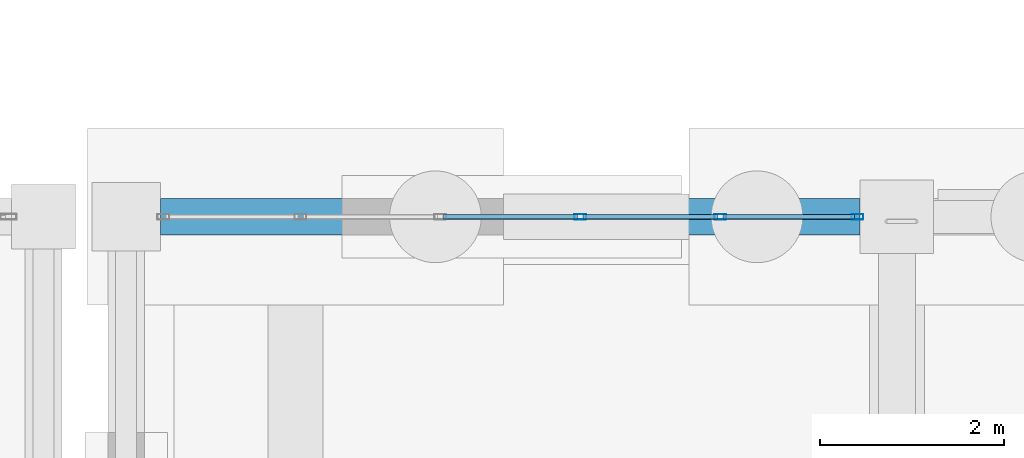
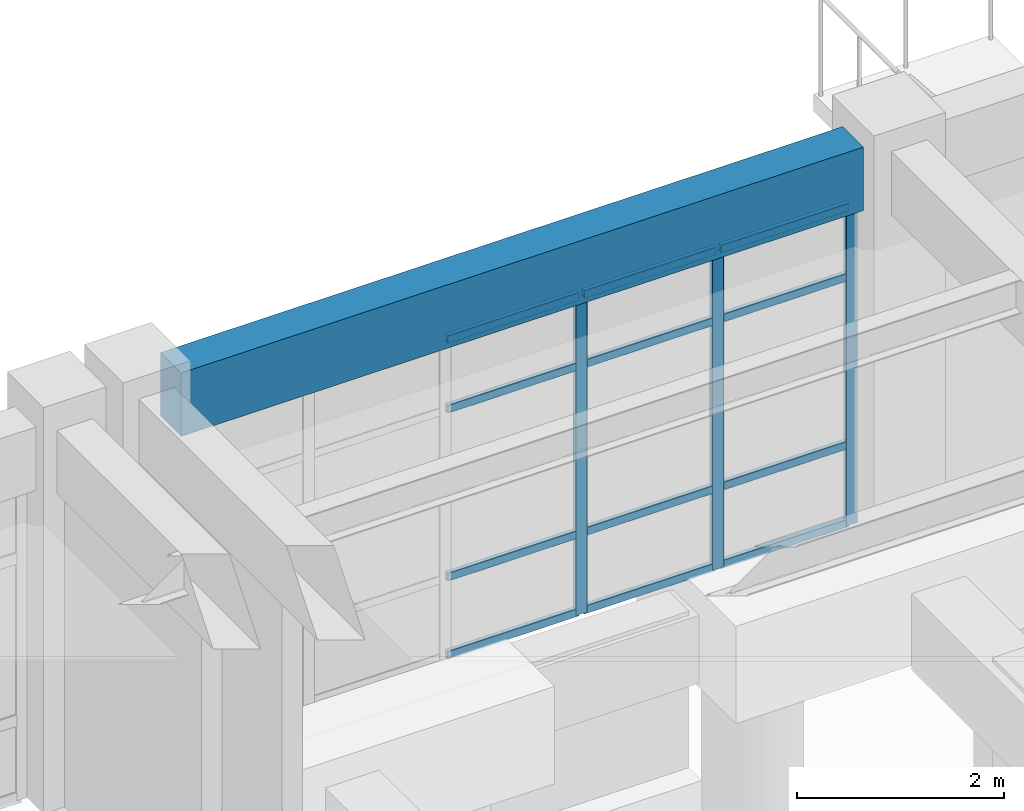
# One storey, part 29 of 111: 15 members, 1 beam, 1 element without a shape of its own.
"""IFC4 building model written with IfcOpenShell, lengths in metres."""

from ifc_helpers import new_model, si_unit, direction, frame, origin, origin_2d, place, context, subcontext, project, spatial, rectangle, hollow_rectangle, extrude, material, material_profile, profile_set, type_object, element, aggregate, save


model = new_model("IFC4")

# Units and contexts
model_context = context("Model", 3, precision=1e-05, world=origin(), true_north=direction((0.0, 1.0)))
body_context = subcontext(model_context, "Body", "Model", "MODEL_VIEW")
ifc_project = project(units=[si_unit("LENGTHUNIT", "METRE"), si_unit("AREAUNIT", "SQUARE_METRE"), si_unit("VOLUMEUNIT", "CUBIC_METRE"), si_unit("PLANEANGLEUNIT", "RADIAN"), si_unit("MASSUNIT", "GRAM", prefix="KILO")], contexts=[model_context])

# Site, building, storey
site_placement = place(None, origin())
site = spatial("IfcSite", under=ifc_project, at=site_placement, CompositionType="ELEMENT")
building_placement = place(site_placement, origin())
building = spatial("IfcBuilding", under=site, at=building_placement, Name="Canglan Escarpment Cableway Terminal", CompositionType="ELEMENT")
storey_placement = place(building_placement, frame((0.0, 0.0, 4.800048828125)))
storey = spatial("IfcBuildingStorey", under=building, at=storey_placement, Name="L01", CompositionType="ELEMENT", Elevation=4.800048828125)

# Curtain wall, members
ifc_material_1 = material(Name="Anodized bronze aluminium and Low-E double glazing", Category="aluminium")
curtain_wall_type = type_object("IfcCurtainWallType", Name="CW-BAY-7625x3775", PredefinedType="NOTDEFINED", material=ifc_material_1)
curtain_wall_placement = place(storey_placement, origin())
curtain_wall = element("IfcCurtainWall", 1, at=curtain_wall_placement, inside=storey, type_object=curtain_wall_type, Name="Classical bay-between-piers glazed curtain wall CW-10", PredefinedType="NOTDEFINED")
ifc_material_2 = material(Name="Thermally broken anodized aluminium 6063-T6", Category="aluminium")
ifc_material_profile_1 = material_profile(ifc_material_2, hollow_rectangle(XDim=0.06005859375, YDim=0.1298828125, WallThickness=0.0029296875, InnerFilletRadius=0.0029296875, OuterFilletRadius=0.006103515625, at=origin_2d()), Name="ALU-MULL 60x130x3")
ifc_profile_set_1 = profile_set([ifc_material_profile_1], Name="Thermally broken anodized aluminium 6063-T6")
member_type_1 = type_object("IfcMemberType", Name="CWM-01", PredefinedType="MULLION", material=ifc_profile_set_1)
member_1_placement = place(storey_placement, frame((84.969970703125, 24.800048828125, 0.0), z_axis=(0.0, 0.0, 1.0), x_axis=(0.0, -1.0, 0.0)))
member_1 = element("IfcMember", 2, at=member_1_placement, type_object=member_type_1, Name="CW-10 mullion 1", PredefinedType="MULLION", context=body_context, shape_type="SweptSolid", body=[
    extrude(hollow_rectangle(XDim=0.06005859375, YDim=0.1298828125, WallThickness=0.0029296875, InnerFilletRadius=0.0029296875, OuterFilletRadius=0.006103515625, at=origin_2d()), origin(), (0.0, 0.0, 1.0), 3.784912109375),
])
member_2_placement = place(storey_placement, frame((83.47509765625, 24.800048828125, 0.0), z_axis=(0.0, 0.0, 1.0), x_axis=(0.0, -1.0, 0.0)))
member_2 = element("IfcMember", 3, at=member_2_placement, type_object=member_type_1, Name="CW-10 mullion 2", PredefinedType="MULLION", context=body_context, shape_type="SweptSolid", body=[
    extrude(hollow_rectangle(XDim=0.06005859375, YDim=0.1298828125, WallThickness=0.0029296875, InnerFilletRadius=0.0029296875, OuterFilletRadius=0.006103515625, at=origin_2d()), origin(), (0.0, 0.0, 1.0), 3.784912109375),
])
member_3_placement = place(storey_placement, frame((81.949951171875, 24.800048828125, 0.0), z_axis=(0.0, 0.0, 1.0), x_axis=(0.0, -1.0, 0.0)))
member_3 = element("IfcMember", 4, at=member_3_placement, type_object=member_type_1, Name="CW-10 mullion 3", PredefinedType="MULLION", context=body_context, shape_type="SweptSolid", body=[
    extrude(hollow_rectangle(XDim=0.06005859375, YDim=0.1298828125, WallThickness=0.0029296875, InnerFilletRadius=0.0029296875, OuterFilletRadius=0.006103515625, at=origin_2d()), origin(), (0.0, 0.0, 1.0), 3.784912109375),
])
ifc_material_profile_2 = material_profile(ifc_material_2, hollow_rectangle(XDim=0.054931640625, YDim=0.094970703125, WallThickness=0.0029296875, InnerFilletRadius=0.0029296875, OuterFilletRadius=0.006103515625, at=origin_2d()), Name="ALU-TRAN 55x95x3")
ifc_profile_set_2 = profile_set([ifc_material_profile_2], Name="Thermally broken anodized aluminium 6063-T6")
member_type_2 = type_object("IfcMemberType", Name="CWT-01", PredefinedType="USERDEFINED", material=ifc_profile_set_2)
member_4_placement = place(storey_placement, frame((84.93994140625, 24.800048828125, 0.02734375), z_axis=(-1.0, 0.0, 0.0), x_axis=(0.0, -1.0, 0.0)))
member_4 = element("IfcMember", 5, at=member_4_placement, type_object=member_type_2, Name="CW-10 transom 1.1", ObjectType="TRANSOM", PredefinedType="USERDEFINED", context=body_context, shape_type="SweptSolid", body=[
    extrude(hollow_rectangle(XDim=0.054931640625, YDim=0.094970703125, WallThickness=0.0029296875, InnerFilletRadius=0.0029296875, OuterFilletRadius=0.006103515625, at=origin_2d()), origin(), (0.0, 0.0, 1.0), 1.43505859375),
])
member_5_placement = place(storey_placement, frame((84.93994140625, 24.800048828125, 0.949951171875), z_axis=(-1.0, 0.0, 0.0), x_axis=(0.0, -1.0, 0.0)))
member_5 = element("IfcMember", 6, at=member_5_placement, type_object=member_type_2, Name="CW-10 transom 1.2", ObjectType="TRANSOM", PredefinedType="USERDEFINED", context=body_context, shape_type="SweptSolid", body=[
    extrude(hollow_rectangle(XDim=0.054931640625, YDim=0.094970703125, WallThickness=0.0029296875, InnerFilletRadius=0.0029296875, OuterFilletRadius=0.006103515625, at=origin_2d()), origin(), (0.0, 0.0, 1.0), 1.43505859375),
])
member_6_placement = place(storey_placement, frame((84.93994140625, 24.800048828125, 2.93505859375), z_axis=(-1.0, 0.0, 0.0), x_axis=(0.0, -1.0, 0.0)))
member_6 = element("IfcMember", 7, at=member_6_placement, type_object=member_type_2, Name="CW-10 transom 1.3", ObjectType="TRANSOM", PredefinedType="USERDEFINED", context=body_context, shape_type="SweptSolid", body=[
    extrude(hollow_rectangle(XDim=0.054931640625, YDim=0.094970703125, WallThickness=0.0029296875, InnerFilletRadius=0.0029296875, OuterFilletRadius=0.006103515625, at=origin_2d()), origin(), (0.0, 0.0, 1.0), 1.43505859375),
])
member_7_placement = place(storey_placement, frame((84.93994140625, 24.800048828125, 3.757568359375), z_axis=(-1.0, 0.0, 0.0), x_axis=(0.0, -1.0, 0.0)))
member_7 = element("IfcMember", 8, at=member_7_placement, type_object=member_type_2, Name="CW-10 transom 1.4", ObjectType="TRANSOM", PredefinedType="USERDEFINED", context=body_context, shape_type="SweptSolid", body=[
    extrude(hollow_rectangle(XDim=0.054931640625, YDim=0.094970703125, WallThickness=0.0029296875, InnerFilletRadius=0.0029296875, OuterFilletRadius=0.006103515625, at=origin_2d()), origin(), (0.0, 0.0, 1.0), 1.43505859375),
])
member_8_placement = place(storey_placement, frame((83.445068359375, 24.800048828125, 0.02734375), z_axis=(-1.0, 0.0, 0.0), x_axis=(0.0, -1.0, 0.0)))
member_8 = element("IfcMember", 9, at=member_8_placement, type_object=member_type_2, Name="CW-10 transom 2.1", ObjectType="TRANSOM", PredefinedType="USERDEFINED", context=body_context, shape_type="SweptSolid", body=[
    extrude(hollow_rectangle(XDim=0.054931640625, YDim=0.094970703125, WallThickness=0.0029296875, InnerFilletRadius=0.0029296875, OuterFilletRadius=0.006103515625, at=origin_2d()), origin(), (0.0, 0.0, 1.0), 1.465087890625),
])
member_9_placement = place(storey_placement, frame((83.445068359375, 24.800048828125, 0.949951171875), z_axis=(-1.0, 0.0, 0.0), x_axis=(0.0, -1.0, 0.0)))
member_9 = element("IfcMember", 10, at=member_9_placement, type_object=member_type_2, Name="CW-10 transom 2.2", ObjectType="TRANSOM", PredefinedType="USERDEFINED", context=body_context, shape_type="SweptSolid", body=[
    extrude(hollow_rectangle(XDim=0.054931640625, YDim=0.094970703125, WallThickness=0.0029296875, InnerFilletRadius=0.0029296875, OuterFilletRadius=0.006103515625, at=origin_2d()), origin(), (0.0, 0.0, 1.0), 1.465087890625),
])
member_10_placement = place(storey_placement, frame((83.445068359375, 24.800048828125, 2.93505859375), z_axis=(-1.0, 0.0, 0.0), x_axis=(0.0, -1.0, 0.0)))
member_10 = element("IfcMember", 11, at=member_10_placement, type_object=member_type_2, Name="CW-10 transom 2.3", ObjectType="TRANSOM", PredefinedType="USERDEFINED", context=body_context, shape_type="SweptSolid", body=[
    extrude(hollow_rectangle(XDim=0.054931640625, YDim=0.094970703125, WallThickness=0.0029296875, InnerFilletRadius=0.0029296875, OuterFilletRadius=0.006103515625, at=origin_2d()), origin(), (0.0, 0.0, 1.0), 1.465087890625),
])
member_11_placement = place(storey_placement, frame((83.445068359375, 24.800048828125, 3.757568359375), z_axis=(-1.0, 0.0, 0.0), x_axis=(0.0, -1.0, 0.0)))
member_11 = element("IfcMember", 12, at=member_11_placement, type_object=member_type_2, Name="CW-10 transom 2.4", ObjectType="TRANSOM", PredefinedType="USERDEFINED", context=body_context, shape_type="SweptSolid", body=[
    extrude(hollow_rectangle(XDim=0.054931640625, YDim=0.094970703125, WallThickness=0.0029296875, InnerFilletRadius=0.0029296875, OuterFilletRadius=0.006103515625, at=origin_2d()), origin(), (0.0, 0.0, 1.0), 1.465087890625),
])
member_12_placement = place(storey_placement, frame((81.919921875, 24.800048828125, 0.02734375), z_axis=(-1.0, 0.0, 0.0), x_axis=(0.0, -1.0, 0.0)))
member_12 = element("IfcMember", 13, at=member_12_placement, type_object=member_type_2, Name="CW-10 transom 3.1", ObjectType="TRANSOM", PredefinedType="USERDEFINED", context=body_context, shape_type="SweptSolid", body=[
    extrude(hollow_rectangle(XDim=0.054931640625, YDim=0.094970703125, WallThickness=0.0029296875, InnerFilletRadius=0.0029296875, OuterFilletRadius=0.006103515625, at=origin_2d()), origin(), (0.0, 0.0, 1.0), 1.46484375),
])
member_13_placement = place(storey_placement, frame((81.919921875, 24.800048828125, 0.949951171875), z_axis=(-1.0, 0.0, 0.0), x_axis=(0.0, -1.0, 0.0)))
member_13 = element("IfcMember", 14, at=member_13_placement, type_object=member_type_2, Name="CW-10 transom 3.2", ObjectType="TRANSOM", PredefinedType="USERDEFINED", context=body_context, shape_type="SweptSolid", body=[
    extrude(hollow_rectangle(XDim=0.054931640625, YDim=0.094970703125, WallThickness=0.0029296875, InnerFilletRadius=0.0029296875, OuterFilletRadius=0.006103515625, at=origin_2d()), origin(), (0.0, 0.0, 1.0), 1.46484375),
])
member_14_placement = place(storey_placement, frame((81.919921875, 24.800048828125, 2.93505859375), z_axis=(-1.0, 0.0, 0.0), x_axis=(0.0, -1.0, 0.0)))
member_14 = element("IfcMember", 15, at=member_14_placement, type_object=member_type_2, Name="CW-10 transom 3.3", ObjectType="TRANSOM", PredefinedType="USERDEFINED", context=body_context, shape_type="SweptSolid", body=[
    extrude(hollow_rectangle(XDim=0.054931640625, YDim=0.094970703125, WallThickness=0.0029296875, InnerFilletRadius=0.0029296875, OuterFilletRadius=0.006103515625, at=origin_2d()), origin(), (0.0, 0.0, 1.0), 1.46484375),
])
member_15_placement = place(storey_placement, frame((81.919921875, 24.800048828125, 3.757568359375), z_axis=(-1.0, 0.0, 0.0), x_axis=(0.0, -1.0, 0.0)))
member_15 = element("IfcMember", 16, at=member_15_placement, type_object=member_type_2, Name="CW-10 transom 3.4", ObjectType="TRANSOM", PredefinedType="USERDEFINED", context=body_context, shape_type="SweptSolid", body=[
    extrude(hollow_rectangle(XDim=0.054931640625, YDim=0.094970703125, WallThickness=0.0029296875, InnerFilletRadius=0.0029296875, OuterFilletRadius=0.006103515625, at=origin_2d()), origin(), (0.0, 0.0, 1.0), 1.46484375),
])
aggregate(curtain_wall, [member_1, member_2, member_3, member_4, member_5, member_6, member_7, member_8, member_9, member_10, member_11, member_12, member_13, member_14, member_15])

# Beam
ifc_material_3 = material(Name="Concrete C40", Category="concrete")
ifc_material_profile_3 = material_profile(ifc_material_3, rectangle(XDim=0.39990234375, YDim=0.75, at=origin_2d()), Name="RC 400x750")
ifc_profile_set_3 = profile_set([ifc_material_profile_3], Name="Concrete C40")
beam_type = type_object("IfcBeamType", Name="SP-RC400x750", PredefinedType="SPANDREL", material=ifc_profile_set_3)
beam_placement = place(storey_placement, frame((77.375, 24.800048828125, 4.175048828125), z_axis=(1.0, 0.0, 0.0), x_axis=(0.0, 1.0, 0.0)))
element("IfcBeam", 17, at=beam_placement, inside=storey, type_object=beam_type, Name="Primary structural girder SP-01", PredefinedType="SPANDREL", context=body_context, shape_type="SweptSolid", body=[
    extrude(rectangle(XDim=0.39990234375, YDim=0.75, at=origin_2d()), origin(), (0.0, 0.0, 1.0), 7.625),
])

save(model, "model.ifc")
